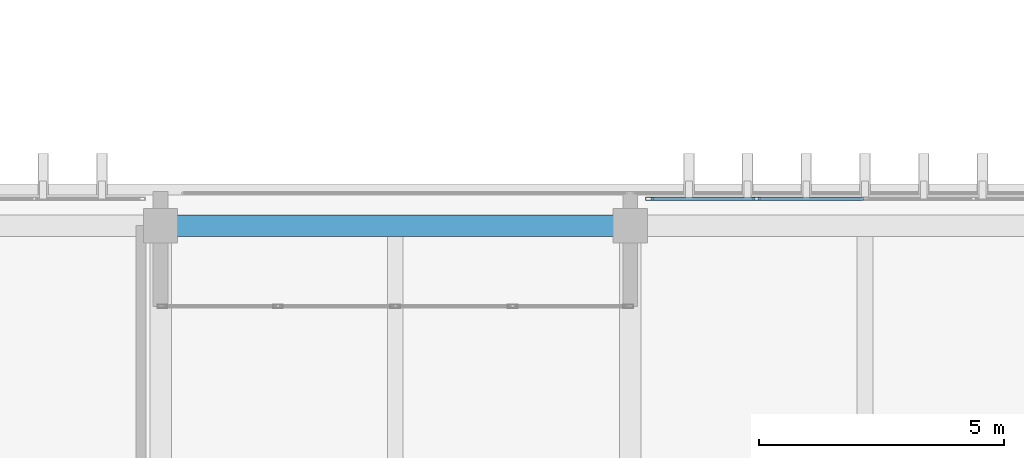
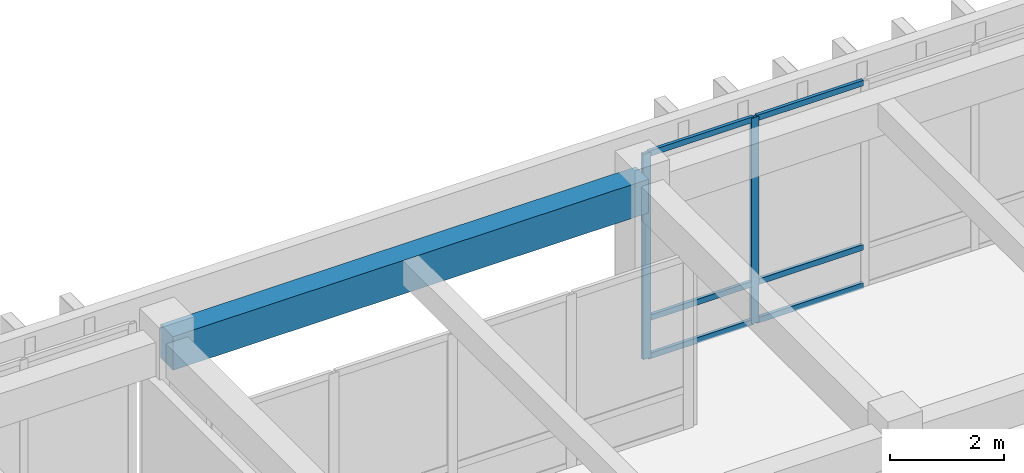
# One storey, part 48 of 133: 8 members, 1 beam, 1 element without a shape of its own.
"""IFC4 building model written with IfcOpenShell, lengths in metres."""

from ifc_helpers import new_model, si_unit, direction, frame, origin, origin_2d, place, context, subcontext, project, spatial, rectangle, hollow_rectangle, extrude, material, layer, layer_set, material_profile, profile_set, type_object, element, aggregate, save


model = new_model("IFC4")

# Units and contexts
model_context = context("Model", 3, precision=1e-05, world=origin(), true_north=direction((0.0, 1.0)))
body_context = subcontext(model_context, "Body", "Model", "MODEL_VIEW")
ifc_project = project(units=[si_unit("LENGTHUNIT", "METRE"), si_unit("AREAUNIT", "SQUARE_METRE"), si_unit("VOLUMEUNIT", "CUBIC_METRE"), si_unit("PLANEANGLEUNIT", "RADIAN"), si_unit("MASSUNIT", "GRAM", prefix="KILO")], contexts=[model_context])

# Site, building, storey
site_placement = place(None, origin())
site = spatial("IfcSite", under=ifc_project, at=site_placement, CompositionType="ELEMENT")
building_placement = place(site_placement, origin())
building = spatial("IfcBuilding", under=site, at=building_placement, Name="Nakhvara Creek Congress Hotel", CompositionType="ELEMENT")
storey_placement = place(building_placement, frame((0.0, 0.0, 11.39990234375)))
storey = spatial("IfcBuildingStorey", under=building, at=storey_placement, Name="L02", CompositionType="ELEMENT", Elevation=11.39990234375)

# Beam
ifc_material_1 = material(Name="Concrete C40/50", Category="concrete")
ifc_material_profile_1 = material_profile(ifc_material_1, rectangle(XDim=0.43994140625, YDim=0.719970703125, at=origin_2d()), Name="RC-BM 440x720", Category="LoadBearing")
ifc_profile_set_1 = profile_set([ifc_material_profile_1], Name="Concrete C40/50")
beam_type = type_object("IfcBeamType", Name="BM-RC-440X720", PredefinedType="BEAM", material=ifc_profile_set_1)
beam_placement = place(storey_placement, frame((86.39990234375, 95.25, 4.06005859375), z_axis=(1.0, 0.0, 0.0), x_axis=(0.0, 1.0, 0.0)))
element("IfcBeam", 1, at=beam_placement, inside=storey, type_object=beam_type, Name="Beam B12-L02-1478", PredefinedType="BEAM", context=body_context, shape_type="SweptSolid", body=[
    extrude(rectangle(XDim=0.43994140625, YDim=0.719970703125, at=origin_2d()), origin(), (0.0, 0.0, 1.0), 9.60009765625),
])

# Curtain wall, members
ifc_material_2 = material(Name="Bronze-anodised aluminium AW-6063-T6 and double-silver low-E glass", Category="aluminium")
ifc_layer = layer(ifc_material_2, 0.199951171875)
ifc_layer_set = layer_set([ifc_layer], Name="Bronze-anodised aluminium AW-6063-T6 and double-silver low-E glass")
curtain_wall_type = type_object("IfcCurtainWallType", Name="CW-POD-STICK", PredefinedType="NOTDEFINED", material=ifc_layer_set)
curtain_wall_placement = place(storey_placement, origin())
curtain_wall = element("IfcCurtainWall", 2, at=curtain_wall_placement, inside=storey, type_object=curtain_wall_type, Name="Curtain Wall CW086", PredefinedType="NOTDEFINED")
ifc_material_3 = material(Name="Bronze-anodised aluminium AW-6063-T6", Category="aluminium")
ifc_material_profile_2 = material_profile(ifc_material_3, hollow_rectangle(XDim=0.06494140625, YDim=0.159912109375, WallThickness=0.00390625, at=origin_2d()), Name="ALU-MULL 65x160x4", Category="LoadBearing")
ifc_profile_set_2 = profile_set([ifc_material_profile_2], Name="Bronze-anodised aluminium AW-6063-T6")
member_type_1 = type_object("IfcMemberType", Name="CW-MULL-160", PredefinedType="MULLION", material=ifc_profile_set_2)
member_1_placement = place(storey_placement, frame((96.3974609375, 95.800048828125, 0.0), z_axis=(0.0, 0.0, 1.0), x_axis=(0.0, 1.0, 0.0)))
member_1 = element("IfcMember", 3, at=member_1_placement, type_object=member_type_1, Name="CW086 mullion 1", PredefinedType="MULLION", context=body_context, shape_type="SweptSolid", body=[
    extrude(hollow_rectangle(XDim=0.06494140625, YDim=0.159912109375, WallThickness=0.00390625, at=origin_2d()), origin(), (0.0, 0.0, 1.0), 4.39013671875),
])
member_2_placement = place(storey_placement, frame((98.58251953125, 95.800048828125, 0.0), z_axis=(0.0, 0.0, 1.0), x_axis=(0.0, 1.0, 0.0)))
member_2 = element("IfcMember", 4, at=member_2_placement, type_object=member_type_1, Name="CW086 mullion 2", PredefinedType="MULLION", context=body_context, shape_type="SweptSolid", body=[
    extrude(hollow_rectangle(XDim=0.06494140625, YDim=0.159912109375, WallThickness=0.00390625, at=origin_2d()), origin(), (0.0, 0.0, 1.0), 4.39013671875),
])
ifc_material_profile_3 = material_profile(ifc_material_3, hollow_rectangle(XDim=0.06494140625, YDim=0.1201171875, WallThickness=0.00390625, at=origin_2d()), Name="ALU-TRAN 65x120x4", Category="LoadBearing")
ifc_profile_set_3 = profile_set([ifc_material_profile_3], Name="Bronze-anodised aluminium AW-6063-T6")
member_type_2 = type_object("IfcMemberType", Name="CW-TRAN-120", PredefinedType="USERDEFINED", material=ifc_profile_set_3)
member_3_placement = place(storey_placement, frame((96.429931640625, 95.800048828125, 0.03271484375), z_axis=(1.0, 0.0, 0.0), x_axis=(0.0, 1.0, 0.0)))
member_3 = element("IfcMember", 5, at=member_3_placement, type_object=member_type_2, Name="CW086 transom 1.1", ObjectType="TRANSOM", PredefinedType="USERDEFINED", context=body_context, shape_type="SweptSolid", body=[
    extrude(hollow_rectangle(XDim=0.06494140625, YDim=0.1201171875, WallThickness=0.00390625, at=origin_2d()), origin(), (0.0, 0.0, 1.0), 2.1201171875),
])
member_4_placement = place(storey_placement, frame((96.429931640625, 95.800048828125, 0.85009765625), z_axis=(1.0, 0.0, 0.0), x_axis=(0.0, 1.0, 0.0)))
member_4 = element("IfcMember", 6, at=member_4_placement, type_object=member_type_2, Name="CW086 transom 1.2", ObjectType="TRANSOM", PredefinedType="USERDEFINED", context=body_context, shape_type="SweptSolid", body=[
    extrude(hollow_rectangle(XDim=0.06494140625, YDim=0.1201171875, WallThickness=0.00390625, at=origin_2d()), origin(), (0.0, 0.0, 1.0), 2.1201171875),
])
member_5_placement = place(storey_placement, frame((96.429931640625, 95.800048828125, 4.357666015625), z_axis=(1.0, 0.0, 0.0), x_axis=(0.0, 1.0, 0.0)))
member_5 = element("IfcMember", 7, at=member_5_placement, type_object=member_type_2, Name="CW086 transom 1.3", ObjectType="TRANSOM", PredefinedType="USERDEFINED", context=body_context, shape_type="SweptSolid", body=[
    extrude(hollow_rectangle(XDim=0.06494140625, YDim=0.1201171875, WallThickness=0.00390625, at=origin_2d()), origin(), (0.0, 0.0, 1.0), 2.1201171875),
])
member_6_placement = place(storey_placement, frame((98.614990234375, 95.800048828125, 0.03271484375), z_axis=(1.0, 0.0, 0.0), x_axis=(0.0, 1.0, 0.0)))
member_6 = element("IfcMember", 8, at=member_6_placement, type_object=member_type_2, Name="CW086 transom 2.1", ObjectType="TRANSOM", PredefinedType="USERDEFINED", context=body_context, shape_type="SweptSolid", body=[
    extrude(hollow_rectangle(XDim=0.06494140625, YDim=0.1201171875, WallThickness=0.00390625, at=origin_2d()), origin(), (0.0, 0.0, 1.0), 2.152587890625),
])
member_7_placement = place(storey_placement, frame((98.614990234375, 95.800048828125, 0.85009765625), z_axis=(1.0, 0.0, 0.0), x_axis=(0.0, 1.0, 0.0)))
member_7 = element("IfcMember", 9, at=member_7_placement, type_object=member_type_2, Name="CW086 transom 2.2", ObjectType="TRANSOM", PredefinedType="USERDEFINED", context=body_context, shape_type="SweptSolid", body=[
    extrude(hollow_rectangle(XDim=0.06494140625, YDim=0.1201171875, WallThickness=0.00390625, at=origin_2d()), origin(), (0.0, 0.0, 1.0), 2.152587890625),
])
member_8_placement = place(storey_placement, frame((98.614990234375, 95.800048828125, 4.357666015625), z_axis=(1.0, 0.0, 0.0), x_axis=(0.0, 1.0, 0.0)))
member_8 = element("IfcMember", 10, at=member_8_placement, type_object=member_type_2, Name="CW086 transom 2.3", ObjectType="TRANSOM", PredefinedType="USERDEFINED", context=body_context, shape_type="SweptSolid", body=[
    extrude(hollow_rectangle(XDim=0.06494140625, YDim=0.1201171875, WallThickness=0.00390625, at=origin_2d()), origin(), (0.0, 0.0, 1.0), 2.152587890625),
])
aggregate(curtain_wall, [member_1, member_2, member_3, member_4, member_5, member_6, member_7, member_8])

save(model, "model.ifc")
